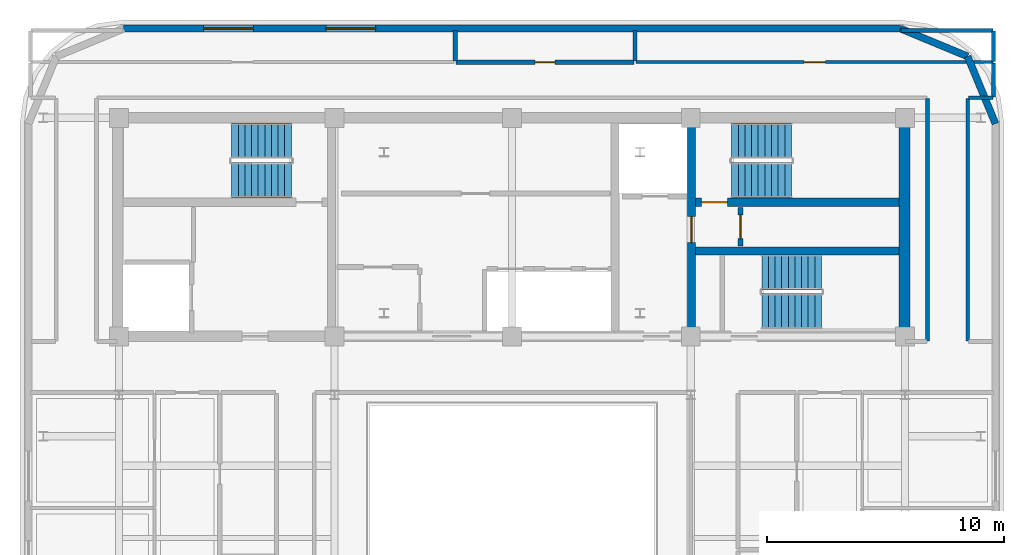
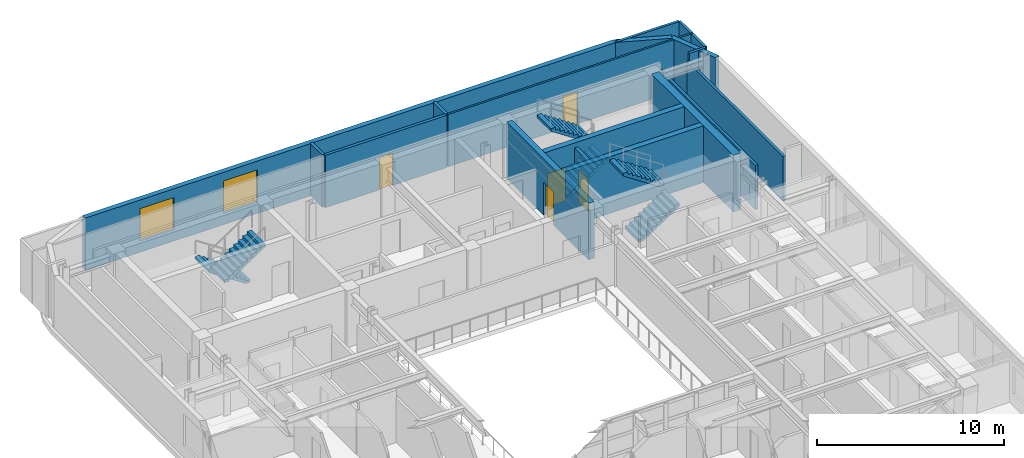
# One storey, part 10 of 13: 18 walls, 6 stair flights, 5 doors, 2 windows, 7 openings, 3 elements without a shape of their own.
"""IFC4 building model written with IfcOpenShell, lengths in metres."""

from ifc_helpers import new_model, si_unit, direction, frame, frame_2d, origin, place, context, subcontext, project, spatial, polyline, rectangle, outline, extrude, material, layer, layer_set, type_object, element, fill, aggregate, save


model = new_model("IFC4")

# Units and contexts
model_context = context("Model", 3, precision=1e-05, world=origin(), true_north=direction((0.0, 1.0)))
body_context = subcontext(model_context, "Body", "Model", "MODEL_VIEW")
ifc_project = project(units=[si_unit("LENGTHUNIT", "METRE"), si_unit("AREAUNIT", "SQUARE_METRE"), si_unit("VOLUMEUNIT", "CUBIC_METRE"), si_unit("PLANEANGLEUNIT", "RADIAN"), si_unit("MASSUNIT", "GRAM", prefix="KILO")], contexts=[model_context])

# Site, building, storey
site_placement = place(None, origin())
site = spatial("IfcSite", under=ifc_project, at=site_placement, CompositionType="ELEMENT")
building_placement = place(site_placement, origin())
building = spatial("IfcBuilding", under=site, at=building_placement, Name="Zarnavel Station Tower", CompositionType="ELEMENT")
storey_placement = place(building_placement, frame((0.0, 0.0, 247.300048828125)))
storey = spatial("IfcBuildingStorey", under=building, at=storey_placement, Name="L67", CompositionType="ELEMENT", Elevation=247.300048828125)

# Wall, opening, door
ifc_material_1 = material(Name="Concrete C50/60", Category="concrete")
ifc_layer_1 = layer(ifc_material_1, 0.35009765625)
ifc_layer_set_1 = layer_set([ifc_layer_1], Name="CW_350")
wall_type_1 = type_object("IfcWallType", Name="CW_350", PredefinedType="SHEAR", material=ifc_layer_set_1)
wall_1_placement = place(storey_placement, frame((36.3798828125, 28.044921875, 0.0), z_axis=(0.0, 0.0, 1.0), x_axis=(0.0, 1.0, 0.0)))
wall_1 = element("IfcWall", 1, at=wall_1_placement, inside=storey, type_object=wall_type_1, Name="L67 Rear Core Shear Wall DIV-S2", PredefinedType="SHEAR", context=body_context, shape_type="SweptSolid", body=[
    extrude(rectangle(XDim=8.780029296875, YDim=0.35009765625, at=frame_2d((4.39013671875, 0.0))), origin(), (0.0, 0.0, 1.0), 3.699951171875),
])
opening_1_placement = place(wall_1_placement, frame((3.735107421875, 0.0, 0.0)))
opening_1 = element("IfcOpeningElement", 2, at=opening_1_placement, cuts=wall_1, Name="Opening FD01", PredefinedType="OPENING", context=body_context, shape_type="SweptSolid", body=[
    extrude(rectangle(XDim=1.10009765625, YDim=2.14990234375, at=frame_2d((0.550048828125, 1.074951171875))), frame((0.0, 0.18505859375, 0.0), z_axis=(0.0, -1.0, 0.0), x_axis=(1.0, 0.0, 0.0)), (0.0, 0.0, 1.0), 0.3701171875),
])
ifc_material_2 = material(Name="Painted Galvanised Steel and Hardwood Leaf", Category="steel")
door_type_1 = type_object("IfcDoorType", Name="ID_STAIR_1100", OperationType="NOTDEFINED", PredefinedType="DOOR", material=ifc_material_2)
door_1_placement = place(opening_1_placement, origin())
door_1 = element("IfcDoor", 3, at=door_1_placement, inside=storey, type_object=door_type_1, Name="L67 East Stair Vestibule Fire Door", OperationType="SINGLE_SWING_LEFT", OverallHeight=2.14990234375, OverallWidth=1.10009765625, PredefinedType="DOOR", context=body_context, shape_type="SweptSolid", body=[
    extrude(rectangle(XDim=1.10009765625, YDim=2.14990234375, at=frame_2d((0.550048828125, 1.074951171875))), frame((0.0, 0.02490234375, 0.0), z_axis=(0.0, -1.0, 0.0), x_axis=(1.0, 0.0, 0.0)), (0.0, 0.0, 1.0), 0.050048828125),
])
fill(opening_1, door_1)

wall_2_placement = place(storey_placement, frame((45.155029296875, 33.47998046875, 0.0), z_axis=(0.0, 0.0, 1.0), x_axis=(-1.0, 0.0, 0.0)))
wall_2 = element("IfcWall", 4, at=wall_2_placement, inside=storey, type_object=wall_type_1, Name="L67 Rear Core Shear Wall DIV-H2", PredefinedType="SHEAR", context=body_context, shape_type="SweptSolid", body=[
    extrude(rectangle(XDim=8.60009765625, YDim=0.35009765625, at=frame_2d((4.300048828125, 0.0))), origin(), (0.0, 0.0, 1.0), 3.699951171875),
])
opening_2_placement = place(wall_2_placement, frame((7.2548828125, 0.0, 0.0)))
opening_2 = element("IfcOpeningElement", 5, at=opening_2_placement, cuts=wall_2, Name="Opening FD01", PredefinedType="OPENING", context=body_context, shape_type="SweptSolid", body=[
    extrude(rectangle(XDim=1.10009765625, YDim=2.14990234375, at=frame_2d((0.550048828125, 1.074951171875))), frame((0.0, 0.18505859375, 0.0), z_axis=(0.0, -1.0, 0.0), x_axis=(1.0, 0.0, 0.0)), (0.0, 0.0, 1.0), 0.3701171875),
])
door_2_placement = place(opening_2_placement, origin())
door_2 = element("IfcDoor", 6, at=door_2_placement, inside=storey, type_object=door_type_1, Name="L67 Stair ST2 Lobby Fire Door", OperationType="SINGLE_SWING_RIGHT", OverallHeight=2.14990234375, OverallWidth=1.10009765625, PredefinedType="DOOR", context=body_context, shape_type="SweptSolid", body=[
    extrude(rectangle(XDim=1.10009765625, YDim=2.14990234375, at=frame_2d((0.550048828125, 1.074951171875))), frame((0.0, 0.02490234375, 0.0), z_axis=(0.0, -1.0, 0.0), x_axis=(1.0, 0.0, 0.0)), (0.0, 0.0, 1.0), 0.050048828125),
])
fill(opening_2, door_2)

# Walls
wall_3_placement = place(storey_placement, frame((36.554931640625, 31.419921875, 0.0), z_axis=(0.0, 0.0, 1.0), x_axis=(1.0, 0.0, 0.0)))
element("IfcWall", 7, at=wall_3_placement, inside=storey, type_object=wall_type_1, Name="L67 Rear Core Shear Wall DIV-H3", PredefinedType="SHEAR", context=body_context, shape_type="SweptSolid", body=[
    extrude(rectangle(XDim=8.60009765625, YDim=0.35009765625, at=frame_2d((4.300048828125, 0.0))), origin(), (0.0, 0.0, 1.0), 3.699951171875),
])
ifc_material_3 = material(Name="Concrete C50/60", Category="concrete")
ifc_layer_2 = layer(ifc_material_3, 0.449951171875)
ifc_layer_set_2 = layer_set([ifc_layer_2], Name="CW_450")
wall_type_2 = type_object("IfcWallType", Name="CW_450", PredefinedType="SHEAR", material=ifc_layer_set_2)
wall_4_placement = place(storey_placement, frame((45.3798828125, 28.044921875, 0.0), z_axis=(0.0, 0.0, 1.0), x_axis=(0.0, 1.0, 0.0)))
element("IfcWall", 8, at=wall_4_placement, inside=storey, type_object=wall_type_2, Name="L67 Rear Core Shear Wall E", PredefinedType="SHEAR", context=body_context, shape_type="SweptSolid", body=[
    extrude(rectangle(XDim=8.780029296875, YDim=0.449951171875, at=frame_2d((4.39013671875, 0.0))), origin(), (0.0, 0.0, 1.0), 3.699951171875),
])
ifc_material_4 = material(Name="Precast concrete C45/55 (Dark Basalt Finish)", Category="masonry")
ifc_layer_3 = layer(ifc_material_4, 0.300048828125)
ifc_layer_set_3 = layer_set([ifc_layer_3], Name="EW_BASALT_300")
wall_type_3 = type_object("IfcWallType", Name="EW_BASALT_300", PredefinedType="SOLIDWALL", material=ifc_layer_set_3)
for number, where, z_axis, x_axis, name in (
    (9, (48.04248046875, 39.642578125, 0.0), (0.0, 0.0, 1.0), (0.382704529509, -0.923870793506, 0.0), "L67 Exterior Basalt Masonry Frame Wall 04"),
    (10, (45.199951171875, 40.820068359375, 0.0), (0.0, 0.0, 1.0), (0.923870793506, -0.382704529509, 0.0), "L67 Exterior Basalt Masonry Frame Wall 05"),
):
    element("IfcWall", number, at=place(storey_placement, frame(where, z_axis=z_axis, x_axis=x_axis)), inside=storey, type_object=wall_type_3, Name=name, PredefinedType="SOLIDWALL", context=body_context, shape_type="SweptSolid", body=[
        extrude(rectangle(XDim=3.07666015625, YDim=0.300048828125, at=frame_2d((1.538330078125, 0.0))), origin(), (0.0, 0.0, 1.0), 3.419921875),
    ])

# Wall, openings, windows
wall_5_placement = place(storey_placement, frame((12.39990234375, 40.820068359375, 0.0), z_axis=(0.0, 0.0, 1.0), x_axis=(1.0, 0.0, 0.0)))
wall_5 = element("IfcWall", 11, at=wall_5_placement, inside=storey, type_object=wall_type_3, Name="L67 Exterior Basalt Masonry Frame Wall 06", PredefinedType="SOLIDWALL", context=body_context, shape_type="SweptSolid", body=[
    extrude(rectangle(XDim=32.800048828125, YDim=0.300048828125, at=frame_2d((16.39990234375, 0.0))), origin(), (0.0, 0.0, 1.0), 3.419921875),
])
opening_3_placement = place(wall_5_placement, frame((3.3798828125, 0.0, 0.75)))
opening_3 = element("IfcOpeningElement", 12, at=opening_3_placement, cuts=wall_5, Name="Opening WN05", PredefinedType="OPENING", context=body_context, shape_type="SweptSolid", body=[
    extrude(rectangle(XDim=2.10009765625, YDim=2.10009765625, at=frame_2d((1.050048828125, 1.050048828125))), frame((0.0, 0.159912109375, 0.0), z_axis=(0.0, -1.0, 0.0), x_axis=(1.0, 0.0, 0.0)), (0.0, 0.0, 1.0), 0.320068359375),
])
opening_4_placement = place(wall_5_placement, frame((8.5400390625, 0.0, 0.75)))
opening_4 = element("IfcOpeningElement", 13, at=opening_4_placement, cuts=wall_5, Name="Opening WN05", PredefinedType="OPENING", context=body_context, shape_type="SweptSolid", body=[
    extrude(rectangle(XDim=2.10009765625, YDim=2.10009765625, at=frame_2d((1.050048828125, 1.050048828125))), frame((0.0, 0.159912109375, 0.0), z_axis=(0.0, -1.0, 0.0), x_axis=(1.0, 0.0, 0.0)), (0.0, 0.0, 1.0), 0.320068359375),
])
ifc_material_5 = material(Name="Thermally Broken Black Aluminium and Low-E Dark Glass", Category="aluminium")
window_type = type_object("IfcWindowType", Name="WN_2100x2100", PartitioningType="TRIPLE_PANEL_VERTICAL", PredefinedType="WINDOW", material=ifc_material_5)
window_1_placement = place(opening_3_placement, origin())
window_1 = element("IfcWindow", 14, at=window_1_placement, inside=storey, type_object=window_type, Name="L67 Recessed Facade Window 01", OverallHeight=2.10009765625, OverallWidth=2.10009765625, PartitioningType="SINGLE_PANEL", PredefinedType="WINDOW", context=body_context, shape_type="SweptSolid", body=[
    extrude(rectangle(XDim=2.10009765625, YDim=2.10009765625, at=frame_2d((1.050048828125, 1.050048828125))), frame((0.0, 0.030029296875, 0.0), z_axis=(0.0, -1.0, 0.0), x_axis=(1.0, 0.0, 0.0)), (0.0, 0.0, 1.0), 0.06005859375),
])
fill(opening_3, window_1)
window_2_placement = place(opening_4_placement, origin())
window_2 = element("IfcWindow", 15, at=window_2_placement, inside=storey, type_object=window_type, Name="L67 Recessed Facade Window 02", OverallHeight=2.10009765625, OverallWidth=2.10009765625, PartitioningType="SINGLE_PANEL", PredefinedType="WINDOW", context=body_context, shape_type="SweptSolid", body=[
    extrude(rectangle(XDim=2.10009765625, YDim=2.10009765625, at=frame_2d((1.050048828125, 1.050048828125))), frame((0.0, 0.030029296875, 0.0), z_axis=(0.0, -1.0, 0.0), x_axis=(1.0, 0.0, 0.0)), (0.0, 0.0, 1.0), 0.06005859375),
])
fill(opening_4, window_2)

# Walls
ifc_material_6 = material(Name="Gypsum Twin-Stud Acoustic Fire Partition", Category="concrete")
ifc_layer_4 = layer(ifc_material_6, 0.159912109375)
ifc_layer_set_4 = layer_set([ifc_layer_4], Name="PT_DEMISE_160")
wall_type_4 = type_object("IfcWallType", Name="PT_DEMISE_160", PredefinedType="PARTITIONING", material=ifc_layer_set_4)
for number, where, z_axis, x_axis, name in (
    (16, (46.35009765625, 27.6298828125, 0.0), (0.0, 0.0, 1.0), (0.0, 1.0, 0.0), "L67 Enclosure Wall COR-E"),
    (17, (48.050048828125, 27.6298828125, 0.0), (0.0, 0.0, 1.0), (0.0, 1.0, 0.0), "L67 Enclosure Wall COR-E"),
):
    element("IfcWall", number, at=place(storey_placement, frame(where, z_axis=z_axis, x_axis=x_axis)), inside=storey, type_object=wall_type_4, Name=name, PredefinedType="PARTITIONING", context=body_context, shape_type="SweptSolid", body=[
        extrude(rectangle(XDim=10.240234375, YDim=0.159912109375, at=frame_2d((5.1201171875, 0.0))), origin(), (0.0, 0.0, 1.0), 2.89990234375),
    ])
wall_6_placement = place(storey_placement, frame((48.080078125, 37.89990234375, 0.0), z_axis=(0.0, 0.0, 1.0), x_axis=(1.0, 0.0, 0.0)))
element("IfcWall", 18, at=wall_6_placement, inside=storey, type_object=wall_type_4, Name="L67 Enclosure Wall COR-N", PredefinedType="PARTITIONING", context=body_context, shape_type="SweptSolid", body=[
    extrude(rectangle(XDim=1.030029296875, YDim=0.159912109375, at=frame_2d((0.51513671875, 0.0))), origin(), (0.0, 0.0, 1.0), 3.419921875),
])
wall_7_placement = place(storey_placement, frame((49.139892578125, 37.929931640625, 0.0), z_axis=(0.0, 0.0, 1.0), x_axis=(0.0, 1.0, 0.0)))
element("IfcWall", 19, at=wall_7_placement, inside=storey, type_object=wall_type_4, Name="L67 Enclosure Wall COR-N", PredefinedType="PARTITIONING", context=body_context, shape_type="SweptSolid", body=[
    extrude(rectangle(XDim=1.440185546875, YDim=0.159912109375, at=frame_2d((0.72021484375, 0.0))), origin(), (0.0, 0.0, 1.0), 3.419921875),
])
wall_8_placement = place(storey_placement, frame((45.22998046875, 40.739990234375, 0.0), z_axis=(0.0, 0.0, 1.0), x_axis=(1.0, 0.0, 0.0)))
element("IfcWall", 20, at=wall_8_placement, inside=storey, type_object=wall_type_4, Name="L67 Enclosure Wall NSTR", PredefinedType="PARTITIONING", context=body_context, shape_type="SweptSolid", body=[
    extrude(rectangle(XDim=3.880126953125, YDim=0.159912109375, at=frame_2d((1.93994140625, 0.0))), origin(), (0.0, 0.0, 1.0), 3.419921875),
])
wall_9_placement = place(storey_placement, frame((49.139892578125, 39.429931640625, 0.0), z_axis=(0.0, 0.0, 1.0), x_axis=(0.0, 1.0, 0.0)))
element("IfcWall", 21, at=wall_9_placement, inside=storey, type_object=wall_type_4, Name="L67 Enclosure Wall NSTR", PredefinedType="PARTITIONING", context=body_context, shape_type="SweptSolid", body=[
    extrude(rectangle(XDim=1.280029296875, YDim=0.159912109375, at=frame_2d((0.64013671875, 0.0))), origin(), (0.0, 0.0, 1.0), 3.419921875),
])

# Wall, opening, door
ifc_material_7 = material(Name="Gypsum Metal-Stud Interior Partition", Category="concrete")
ifc_layer_5 = layer(ifc_material_7, 0.1201171875)
ifc_layer_set_5 = layer_set([ifc_layer_5], Name="PT_ROOM_120")
wall_type_5 = type_object("IfcWallType", Name="PT_ROOM_120", PredefinedType="PARTITIONING", material=ifc_layer_set_5)
wall_10_placement = place(storey_placement, frame((34.0400390625, 39.39990234375, 0.0), z_axis=(0.0, 0.0, 1.0), x_axis=(1.0, 0.0, 0.0)))
wall_10 = element("IfcWall", 22, at=wall_10_placement, inside=storey, type_object=wall_type_5, Name="L67 Partition COR-N-NSTR", PredefinedType="PARTITIONING", context=body_context, shape_type="SweptSolid", body=[
    extrude(rectangle(XDim=15.099853515625, YDim=0.1201171875, at=frame_2d((7.5498046875, 0.0))), origin(), (0.0, 0.0, 1.0), 3.419921875),
])
opening_5_placement = place(wall_10_placement, frame((7.10009765625, 0.0, 0.0)))
opening_5 = element("IfcOpeningElement", 23, at=opening_5_placement, cuts=wall_10, Name="Opening ID01", PredefinedType="OPENING", context=body_context, shape_type="SweptSolid", body=[
    extrude(rectangle(XDim=0.89990234375, YDim=2.10009765625, at=frame_2d((0.449951171875, 1.050048828125))), frame((0.0, 0.070068359375, 0.0), z_axis=(0.0, -1.0, 0.0), x_axis=(1.0, 0.0, 0.0)), (0.0, 0.0, 1.0), 0.14013671875),
])
ifc_material_8 = material(Name="Painted Galvanised Steel and Hardwood Leaf", Category="steel")
door_type_2 = type_object("IfcDoorType", Name="ID_ROOM_900", OperationType="NOTDEFINED", PredefinedType="DOOR", material=ifc_material_8)
door_3_placement = place(opening_5_placement, origin())
door_3 = element("IfcDoor", 24, at=door_3_placement, inside=storey, type_object=door_type_2, Name="L67 Door COR-N-NSTR", OperationType="SINGLE_SWING_LEFT", OverallHeight=2.10009765625, OverallWidth=0.89990234375, PredefinedType="DOOR", context=body_context, shape_type="SweptSolid", body=[
    extrude(rectangle(XDim=0.89990234375, YDim=2.10009765625, at=frame_2d((0.449951171875, 1.050048828125))), frame((0.0, 0.02490234375, 0.0), z_axis=(0.0, -1.0, 0.0), x_axis=(1.0, 0.0, 0.0)), (0.0, 0.0, 1.0), 0.050048828125),
])
fill(opening_5, door_3)

ifc_material_9 = material(Name="Precast concrete C45/55 (Fire Shaft Blockwork)", Category="masonry")
ifc_layer_6 = layer(ifc_material_9, 0.199951171875)
ifc_layer_set_6 = layer_set([ifc_layer_6], Name="PT_SHAFT_200")
wall_type_6 = type_object("IfcWallType", Name="PT_SHAFT_200", PredefinedType="PARTITIONING", material=ifc_layer_set_6)
wall_11_placement = place(storey_placement, frame((38.449951171875, 31.639892578125, 0.0), z_axis=(0.0, 0.0, 1.0), x_axis=(0.0, 1.0, 0.0)))
wall_11 = element("IfcWall", 25, at=wall_11_placement, inside=storey, type_object=wall_type_6, Name="L67 Partition ESTV-CEA", PredefinedType="PARTITIONING", context=body_context, shape_type="SweptSolid", body=[
    extrude(rectangle(XDim=1.6201171875, YDim=0.199951171875, at=frame_2d((0.81005859375, 0.0))), origin(), (0.0, 0.0, 1.0), 3.419921875),
])
opening_6_placement = place(wall_11_placement, frame((0.31005859375, 0.0, 0.0)))
opening_6 = element("IfcOpeningElement", 26, at=opening_6_placement, cuts=wall_11, Name="Opening FD02", PredefinedType="OPENING", context=body_context, shape_type="SweptSolid", body=[
    extrude(rectangle(XDim=1.0, YDim=2.14990234375, at=frame_2d((0.5, 1.074951171875))), frame((0.0, 0.10986328125, 0.0), z_axis=(0.0, -1.0, 0.0), x_axis=(1.0, 0.0, 0.0)), (0.0, 0.0, 1.0), 0.219970703125),
])
ifc_material_10 = material(Name="Painted Galvanised Steel and Hardwood Leaf", Category="steel")
door_type_3 = type_object("IfcDoorType", Name="ID_ENTRY_1000", OperationType="NOTDEFINED", PredefinedType="DOOR", material=ifc_material_10)
door_4_placement = place(opening_6_placement, origin())
door_4 = element("IfcDoor", 27, at=door_4_placement, inside=storey, type_object=door_type_3, Name="L67 Door ESTV-CEA", OperationType="SINGLE_SWING_LEFT", OverallHeight=2.14990234375, OverallWidth=1.0, PredefinedType="DOOR", context=body_context, shape_type="SweptSolid", body=[
    extrude(rectangle(XDim=1.0, YDim=2.14990234375, at=frame_2d((0.5, 1.074951171875))), frame((0.0, 0.02490234375, 0.0), z_axis=(0.0, -1.0, 0.0), x_axis=(1.0, 0.0, 0.0)), (0.0, 0.0, 1.0), 0.050048828125),
])
fill(opening_6, door_4)

ifc_material_11 = material(Name="Moisture-Resistant Plumbing Chase Wall", Category="concrete")
ifc_layer_7 = layer(ifc_material_11, 0.179931640625)
ifc_layer_set_7 = layer_set([ifc_layer_7], Name="PW_PLUMB_180")
wall_type_7 = type_object("IfcWallType", Name="PW_PLUMB_180", PredefinedType="PLUMBINGWALL", material=ifc_layer_set_7)
wall_12_placement = place(storey_placement, frame((26.43994140625, 39.39990234375, 0.0), z_axis=(0.0, 0.0, 1.0), x_axis=(1.0, 0.0, 0.0)))
wall_12 = element("IfcWall", 28, at=wall_12_placement, inside=storey, type_object=wall_type_7, Name="L67 Partition COR-N-NWC", PredefinedType="PLUMBINGWALL", context=body_context, shape_type="SweptSolid", body=[
    extrude(rectangle(XDim=7.52001953125, YDim=0.179931640625, at=frame_2d((3.760009765625, 0.0))), origin(), (0.0, 0.0, 1.0), 3.419921875),
])
opening_7_placement = place(wall_12_placement, frame((3.3349609375, 0.0, 0.0)))
opening_7 = element("IfcOpeningElement", 29, at=opening_7_placement, cuts=wall_12, Name="Opening ID02", PredefinedType="OPENING", context=body_context, shape_type="SweptSolid", body=[
    extrude(rectangle(XDim=0.85009765625, YDim=2.10009765625, at=frame_2d((0.425048828125, 1.050048828125))), frame((0.0, 0.099853515625, 0.0), z_axis=(0.0, -1.0, 0.0), x_axis=(1.0, 0.0, 0.0)), (0.0, 0.0, 1.0), 0.199951171875),
])
ifc_material_12 = material(Name="Painted Galvanised Steel and Hardwood Leaf", Category="steel")
door_type_4 = type_object("IfcDoorType", Name="ID_BATH_850", OperationType="NOTDEFINED", PredefinedType="DOOR", material=ifc_material_12)
door_5_placement = place(opening_7_placement, origin())
door_5 = element("IfcDoor", 30, at=door_5_placement, inside=storey, type_object=door_type_4, Name="L67 Door COR-N-NWC", OperationType="SINGLE_SWING_RIGHT", OverallHeight=2.10009765625, OverallWidth=0.85009765625, PredefinedType="DOOR", context=body_context, shape_type="SweptSolid", body=[
    extrude(rectangle(XDim=0.85009765625, YDim=2.10009765625, at=frame_2d((0.425048828125, 1.050048828125))), frame((0.0, 0.02490234375, 0.0), z_axis=(0.0, -1.0, 0.0), x_axis=(1.0, 0.0, 0.0)), (0.0, 0.0, 1.0), 0.050048828125),
])
fill(opening_7, door_5)

# Walls
for number, where, z_axis, x_axis, name in (
    (31, (26.39990234375, 39.43994140625, 0.0), (0.0, 0.0, 1.0), (0.0, 1.0, 0.0), "L67 Partition NSTD-NWC"),
    (32, (34.0, 39.43994140625, 0.0), (0.0, 0.0, 1.0), (0.0, 1.0, 0.0), "L67 Partition NWC-NSTR"),
):
    element("IfcWall", number, at=place(storey_placement, frame(where, z_axis=z_axis, x_axis=x_axis)), inside=storey, type_object=wall_type_7, Name=name, PredefinedType="PLUMBINGWALL", context=body_context, shape_type="SweptSolid", body=[
        extrude(rectangle(XDim=1.300048828125, YDim=0.179931640625, at=frame_2d((0.64990234375, 0.0))), origin(), (0.0, 0.0, 1.0), 3.419921875),
    ])

# Stair, stair flights
ifc_material_13 = material(Name="Concrete C45/55", Category="concrete")
stair_type = type_object("IfcStairType", Name="ST_CORE_150", PredefinedType="HALF_TURN_STAIR", material=ifc_material_13)
stair_1_placement = place(storey_placement, origin())
stair_1 = element("IfcStair", 33, at=stair_1_placement, inside=storey, type_object=stair_type, Name="L67 Core Exit Stair ST1", PredefinedType="HALF_TURN_STAIR")
ifc_material_14 = material(Name="Concrete C45/55", Category="concrete")
ifc_layer_8 = layer(ifc_material_14, 0.179931640625)
ifc_layer_set_8 = layer_set([ifc_layer_8], Name="ST_CORE_150_FLT")
stair_flight_type = type_object("IfcStairFlightType", Name="ST_CORE_150_FLT", PredefinedType="STRAIGHT", material=ifc_layer_set_8)
stair_flight_1_placement = place(storey_placement, frame((19.47998046875, 36.070068359375, 0.0), z_axis=(0.0, 0.0, 1.0), x_axis=(-1.0, 0.0, 0.0)))
stair_flight_1 = element("IfcStairFlight", 34, at=stair_flight_1_placement, type_object=stair_flight_type, Name="ST1 flight 1", NumberOfRisers=10, NumberOfTreads=9, PredefinedType="STRAIGHT", RiserHeight=0.185, TreadLength=0.28, context=body_context, shape_type="SweptSolid", body=[
    extrude(outline(polyline([(0.0, 0.0), (0.0, 0.18505859375), (0.280029296875, 0.18505859375), (0.280029296875, 0.3701171875), (0.56005859375, 0.3701171875), (0.56005859375, 0.554931640625), (0.840087890625, 0.554931640625), (0.840087890625, 0.739990234375), (1.1201171875, 0.739990234375), (1.1201171875, 0.925048828125), (1.39990234375, 0.925048828125), (1.39990234375, 1.110107421875), (1.679931640625, 1.110107421875), (1.679931640625, 1.294921875), (1.9599609375, 1.294921875), (1.9599609375, 1.47998046875), (2.239990234375, 1.47998046875), (2.239990234375, 1.6650390625), (2.52001953125, 1.6650390625), (2.52001953125, 1.85009765625), (2.52001953125, 1.4853515625), (0.27197265625, 0.0), (0.0, 0.0)])), frame((0.0, 0.75, 0.0), z_axis=(0.0, -1.0, 0.0), x_axis=(1.0, 0.0, 0.0)), (0.0, 0.0, 1.0), 1.5),
])
stair_flight_2_placement = place(storey_placement, frame((16.9599609375, 34.409912109375, 1.849853515625), z_axis=(0.0, 0.0, 1.0), x_axis=(1.0, 0.0, 0.0)))
stair_flight_2 = element("IfcStairFlight", 35, at=stair_flight_2_placement, type_object=stair_flight_type, Name="ST1 flight 2", NumberOfRisers=10, NumberOfTreads=9, PredefinedType="STRAIGHT", RiserHeight=0.185, TreadLength=0.28, context=body_context, shape_type="SweptSolid", body=[
    extrude(outline(polyline([(0.0, 0.0), (0.0, 0.18505859375), (0.280029296875, 0.18505859375), (0.280029296875, 0.3701171875), (0.56005859375, 0.3701171875), (0.56005859375, 0.554931640625), (0.840087890625, 0.554931640625), (0.840087890625, 0.739990234375), (1.1201171875, 0.739990234375), (1.1201171875, 0.925048828125), (1.39990234375, 0.925048828125), (1.39990234375, 1.110107421875), (1.679931640625, 1.110107421875), (1.679931640625, 1.294921875), (1.9599609375, 1.294921875), (1.9599609375, 1.47998046875), (2.239990234375, 1.47998046875), (2.239990234375, 1.6650390625), (2.52001953125, 1.6650390625), (2.52001953125, 1.85009765625), (2.52001953125, 1.4853515625), (0.27197265625, 0.0), (0.0, 0.0)])), frame((0.0, 0.75, 0.0), z_axis=(0.0, -1.0, 0.0), x_axis=(1.0, 0.0, 0.0)), (0.0, 0.0, 1.0), 1.5),
])
aggregate(stair_1, [stair_flight_1, stair_flight_2])

stair_2_placement = place(storey_placement, origin())
stair_2 = element("IfcStair", 36, at=stair_2_placement, inside=storey, type_object=stair_type, Name="L67 Core Exit Stair ST2", PredefinedType="HALF_TURN_STAIR")
stair_flight_3_placement = place(storey_placement, frame((38.080078125, 34.409912109375, 0.0), z_axis=(0.0, 0.0, 1.0), x_axis=(1.0, 0.0, 0.0)))
stair_flight_3 = element("IfcStairFlight", 37, at=stair_flight_3_placement, type_object=stair_flight_type, Name="ST2 flight 1", NumberOfRisers=10, NumberOfTreads=9, PredefinedType="STRAIGHT", RiserHeight=0.185, TreadLength=0.28, context=body_context, shape_type="SweptSolid", body=[
    extrude(outline(polyline([(0.0, 0.0), (0.0, 0.18505859375), (0.280029296875, 0.18505859375), (0.280029296875, 0.3701171875), (0.56005859375, 0.3701171875), (0.56005859375, 0.554931640625), (0.840087890625, 0.554931640625), (0.840087890625, 0.739990234375), (1.1201171875, 0.739990234375), (1.1201171875, 0.925048828125), (1.39990234375, 0.925048828125), (1.39990234375, 1.110107421875), (1.679931640625, 1.110107421875), (1.679931640625, 1.294921875), (1.9599609375, 1.294921875), (1.9599609375, 1.47998046875), (2.239990234375, 1.47998046875), (2.239990234375, 1.6650390625), (2.52001953125, 1.6650390625), (2.52001953125, 1.85009765625), (2.52001953125, 1.4853515625), (0.27197265625, 0.0), (0.0, 0.0)])), frame((0.0, 0.75, 0.0), z_axis=(0.0, -1.0, 0.0), x_axis=(1.0, 0.0, 0.0)), (0.0, 0.0, 1.0), 1.5),
])
stair_flight_4_placement = place(storey_placement, frame((40.60009765625, 36.070068359375, 1.849853515625), z_axis=(0.0, 0.0, 1.0), x_axis=(-1.0, 0.0, 0.0)))
stair_flight_4 = element("IfcStairFlight", 38, at=stair_flight_4_placement, type_object=stair_flight_type, Name="ST2 flight 2", NumberOfRisers=10, NumberOfTreads=9, PredefinedType="STRAIGHT", RiserHeight=0.185, TreadLength=0.28, context=body_context, shape_type="SweptSolid", body=[
    extrude(outline(polyline([(0.0, 0.0), (0.0, 0.18505859375), (0.280029296875, 0.18505859375), (0.280029296875, 0.3701171875), (0.56005859375, 0.3701171875), (0.56005859375, 0.554931640625), (0.840087890625, 0.554931640625), (0.840087890625, 0.739990234375), (1.1201171875, 0.739990234375), (1.1201171875, 0.925048828125), (1.39990234375, 0.925048828125), (1.39990234375, 1.110107421875), (1.679931640625, 1.110107421875), (1.679931640625, 1.294921875), (1.9599609375, 1.294921875), (1.9599609375, 1.47998046875), (2.239990234375, 1.47998046875), (2.239990234375, 1.6650390625), (2.52001953125, 1.6650390625), (2.52001953125, 1.85009765625), (2.52001953125, 1.4853515625), (0.27197265625, 0.0), (0.0, 0.0)])), frame((0.0, 0.75, 0.0), z_axis=(0.0, -1.0, 0.0), x_axis=(1.0, 0.0, 0.0)), (0.0, 0.0, 1.0), 1.5),
])
aggregate(stair_2, [stair_flight_3, stair_flight_4])

stair_3_placement = place(storey_placement, origin())
stair_3 = element("IfcStair", 39, at=stair_3_placement, inside=storey, type_object=stair_type, Name="L67 Core Exit Stair ST3", PredefinedType="HALF_TURN_STAIR")
stair_flight_5_placement = place(storey_placement, frame((39.35009765625, 28.8701171875, 0.0), z_axis=(0.0, 0.0, 1.0), x_axis=(1.0, 0.0, 0.0)))
stair_flight_5 = element("IfcStairFlight", 40, at=stair_flight_5_placement, type_object=stair_flight_type, Name="ST3 flight 1", NumberOfRisers=10, NumberOfTreads=9, PredefinedType="STRAIGHT", RiserHeight=0.185, TreadLength=0.28, context=body_context, shape_type="SweptSolid", body=[
    extrude(outline(polyline([(0.0, 0.0), (0.0, 0.18505859375), (0.280029296875, 0.18505859375), (0.280029296875, 0.3701171875), (0.56005859375, 0.3701171875), (0.56005859375, 0.554931640625), (0.840087890625, 0.554931640625), (0.840087890625, 0.739990234375), (1.1201171875, 0.739990234375), (1.1201171875, 0.925048828125), (1.39990234375, 0.925048828125), (1.39990234375, 1.110107421875), (1.679931640625, 1.110107421875), (1.679931640625, 1.294921875), (1.9599609375, 1.294921875), (1.9599609375, 1.47998046875), (2.239990234375, 1.47998046875), (2.239990234375, 1.6650390625), (2.52001953125, 1.6650390625), (2.52001953125, 1.85009765625), (2.52001953125, 1.4853515625), (0.27197265625, 0.0), (0.0, 0.0)])), frame((0.0, 0.75, 0.0), z_axis=(0.0, -1.0, 0.0), x_axis=(1.0, 0.0, 0.0)), (0.0, 0.0, 1.0), 1.5),
])
stair_flight_6_placement = place(storey_placement, frame((41.8701171875, 30.530029296875, 1.849853515625), z_axis=(0.0, 0.0, 1.0), x_axis=(-1.0, 0.0, 0.0)))
stair_flight_6 = element("IfcStairFlight", 41, at=stair_flight_6_placement, type_object=stair_flight_type, Name="ST3 flight 2", NumberOfRisers=10, NumberOfTreads=9, PredefinedType="STRAIGHT", RiserHeight=0.185, TreadLength=0.28, context=body_context, shape_type="SweptSolid", body=[
    extrude(outline(polyline([(0.0, 0.0), (0.0, 0.18505859375), (0.280029296875, 0.18505859375), (0.280029296875, 0.3701171875), (0.56005859375, 0.3701171875), (0.56005859375, 0.554931640625), (0.840087890625, 0.554931640625), (0.840087890625, 0.739990234375), (1.1201171875, 0.739990234375), (1.1201171875, 0.925048828125), (1.39990234375, 0.925048828125), (1.39990234375, 1.110107421875), (1.679931640625, 1.110107421875), (1.679931640625, 1.294921875), (1.9599609375, 1.294921875), (1.9599609375, 1.47998046875), (2.239990234375, 1.47998046875), (2.239990234375, 1.6650390625), (2.52001953125, 1.6650390625), (2.52001953125, 1.85009765625), (2.52001953125, 1.4853515625), (0.27197265625, 0.0), (0.0, 0.0)])), frame((0.0, 0.75, 0.0), z_axis=(0.0, -1.0, 0.0), x_axis=(1.0, 0.0, 0.0)), (0.0, 0.0, 1.0), 1.5),
])
aggregate(stair_3, [stair_flight_5, stair_flight_6])

save(model, "model.ifc")
